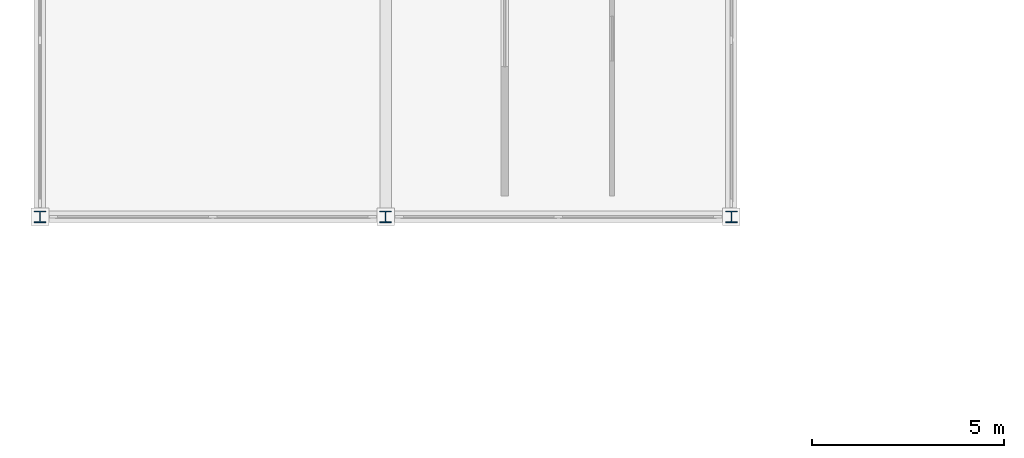
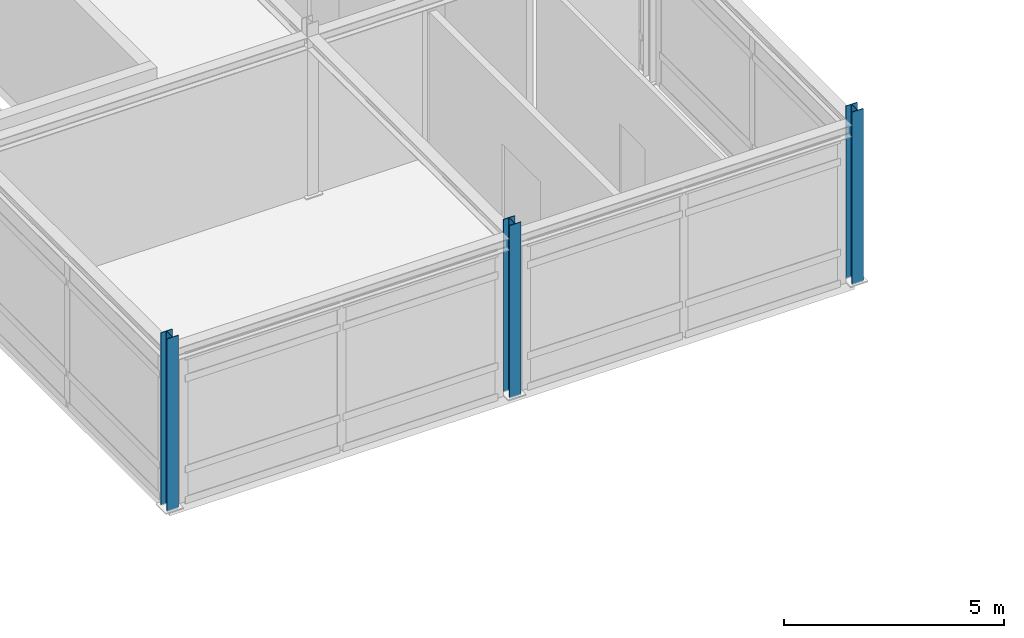
# One storey, part 2 of 90: 3 columns.
"""IFC4 building model written with IfcOpenShell, lengths in metres."""

from ifc_helpers import new_model, si_unit, direction, frame, origin, origin_2d, place, context, subcontext, project, spatial, i_section, extrude, material, material_profile, profile_set, type_object, element, save


model = new_model("IFC4")

# Units and contexts
model_context = context("Model", 3, precision=1e-05, world=origin(), true_north=direction((0.0, 1.0)))
body_context = subcontext(model_context, "Body", "Model", "MODEL_VIEW")
ifc_project = project(units=[si_unit("LENGTHUNIT", "METRE"), si_unit("AREAUNIT", "SQUARE_METRE"), si_unit("VOLUMEUNIT", "CUBIC_METRE"), si_unit("PLANEANGLEUNIT", "RADIAN"), si_unit("MASSUNIT", "GRAM", prefix="KILO")], contexts=[model_context])

# Site, building, storey
site_placement = place(None, origin())
site = spatial("IfcSite", under=ifc_project, at=site_placement, CompositionType="ELEMENT")
building_placement = place(site_placement, origin())
building = spatial("IfcBuilding", under=site, at=building_placement, Name="Bozkorgan Art Gallery", CompositionType="ELEMENT")
storey_placement = place(building_placement, frame((0.0, 0.0, 5.39990234375)))
storey = spatial("IfcBuildingStorey", under=building, at=storey_placement, Name="L01", CompositionType="ELEMENT", Elevation=5.39990234375)

# Columns
ifc_material = material(Name="Steel S355J2", Category="steel")
ifc_material_profile = material_profile(ifc_material, i_section(OverallWidth=0.300048828125, OverallDepth=0.300048828125, WebThickness=0.010986328125, FlangeThickness=0.01904296875, FilletRadius=0.027099609375, at=origin_2d()), Name="HEB 300")
ifc_profile_set = profile_set([ifc_material_profile], Name="Steel S355J2")
column_type = type_object("IfcColumnType", Name="COLUMN-C-08", PredefinedType="COLUMN", material=ifc_profile_set)
for number, where, z_axis, x_axis, name in (
    (1, (2.0, 56.800048828125, 0.0), (0.0, 0.0, 1.0), (1.0, 0.0, 0.0), "V2 L01 column (2.0, 56.8)"),
    (2, (11.0, 56.800048828125, 0.0), (0.0, 0.0, 1.0), (1.0, 0.0, 0.0), "V2 L01 column (11.0, 56.8)"),
    (3, (20.0, 56.800048828125, 0.0), (0.0, 0.0, 1.0), (1.0, 0.0, 0.0), "V2 L01 column (20.0, 56.8)"),
):
    element("IfcColumn", number, at=place(storey_placement, frame(where, z_axis=z_axis, x_axis=x_axis)), inside=storey, type_object=column_type, Name=name, PredefinedType="COLUMN", context=body_context, shape_type="SweptSolid", body=[
        extrude(i_section(OverallWidth=0.300048828125, OverallDepth=0.300048828125, WebThickness=0.010986328125, FlangeThickness=0.01904296875, FilletRadius=0.027099609375, at=origin_2d()), origin(), (0.0, 0.0, 1.0), 4.800048828125),
    ])

save(model, "model.ifc")
